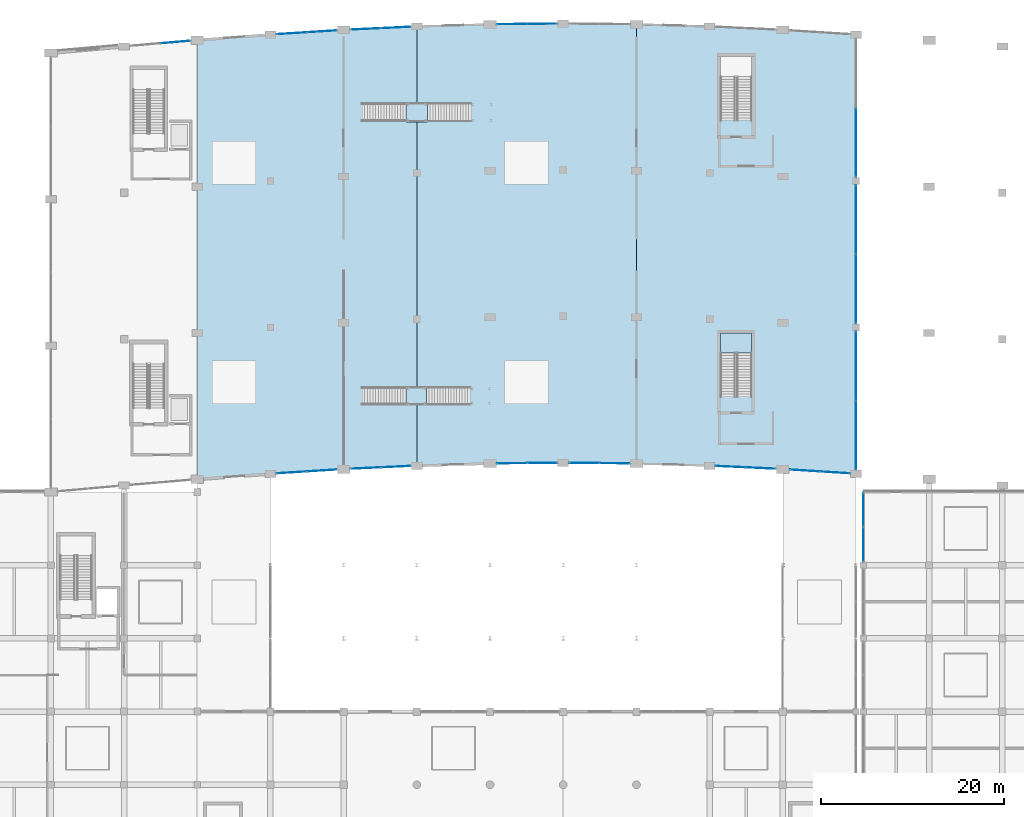
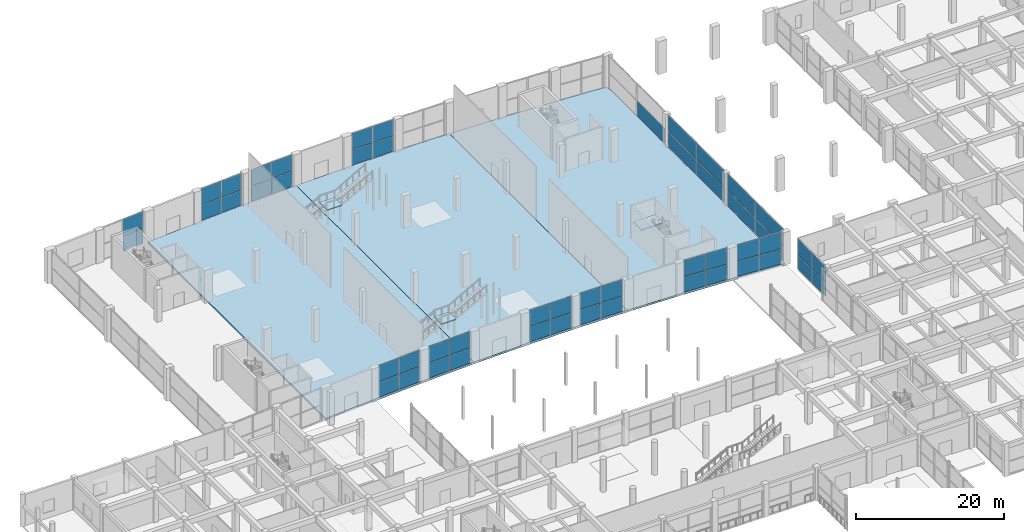
# One storey, part 51 of 86: 51 plates, 6 slabs, 17 elements without a shape of their own.
"""IFC4 building model written with IfcOpenShell, lengths in metres."""

from ifc_helpers import new_model, si_unit, direction, frame, origin, origin_2d, place, context, subcontext, project, spatial, polyline, rectangle, outline, extrude, material, layer, layer_set, type_object, element, aggregate, save


model = new_model("IFC4")

# Units and contexts
model_context = context("Model", 3, precision=1e-05, world=origin(), true_north=direction((0.0, 1.0)))
body_context = subcontext(model_context, "Body", "Model", "MODEL_VIEW")
ifc_project = project(units=[si_unit("LENGTHUNIT", "METRE"), si_unit("AREAUNIT", "SQUARE_METRE"), si_unit("VOLUMEUNIT", "CUBIC_METRE"), si_unit("PLANEANGLEUNIT", "RADIAN"), si_unit("MASSUNIT", "GRAM", prefix="KILO")], contexts=[model_context])

# Site, building, storey
site_placement = place(None, origin())
site = spatial("IfcSite", under=ifc_project, at=site_placement, CompositionType="ELEMENT")
building_placement = place(site_placement, origin())
building = spatial("IfcBuilding", under=site, at=building_placement, Name="Kenh Van Central Station", CompositionType="ELEMENT")
storey_placement = place(building_placement, origin())
storey = spatial("IfcBuildingStorey", under=building, at=storey_placement, Name="L00", CompositionType="ELEMENT", Elevation=0.0)

# Curtain wall, plates
ifc_material_1 = material(Name="Champagne anodised aluminium", Category="aluminium")
curtain_wall_type_1 = type_object("IfcCurtainWallType", Name="CW-OPER-B", PredefinedType="NOTDEFINED", material=ifc_material_1)
curtain_wall_1_placement = place(storey_placement, origin())
curtain_wall_1 = element("IfcCurtainWall", 1, at=curtain_wall_1_placement, inside=storey, type_object=curtain_wall_type_1, Name="L00 curtain wall 069", PredefinedType="NOTDEFINED")
ifc_material_2 = material(Name="Double-glazed low-E laminated solar glass", Category="glass")
ifc_layer_1 = layer(ifc_material_2, 0.030029296875, Name="Double-glazed low-E laminated solar glass")
ifc_layer_set_1 = layer_set([ifc_layer_1], Name="Double-glazed low-E laminated solar glass")
plate_type_1 = type_object("IfcPlateType", Name="CWP-IGU-30", PredefinedType="CURTAIN_PANEL", material=ifc_layer_set_1)
plate_1_placement = place(storey_placement, frame((120.800048828125, 62.0654296875, 0.07177734375), z_axis=(0.0, 0.0, 1.0), x_axis=(0.0, -1.0, 0.0)))
plate_1 = element("IfcPlate", 2, at=plate_1_placement, type_object=plate_type_1, Name="CW-08 panel 1.1", PredefinedType="CURTAIN_PANEL", context=body_context, shape_type="SweptSolid", body=[
    extrude(rectangle(XDim=3.693115234375, YDim=0.030029296875, at=origin_2d()), origin(), (0.0, 0.0, 1.0), 2.340087890625),
])
plate_2_placement = place(storey_placement, frame((120.800048828125, 62.0654296875, 2.484130859375), z_axis=(0.0, 0.0, 1.0), x_axis=(0.0, -1.0, 0.0)))
plate_2 = element("IfcPlate", 3, at=plate_2_placement, type_object=plate_type_1, Name="CW-08 panel 1.2", PredefinedType="CURTAIN_PANEL", context=body_context, shape_type="SweptSolid", body=[
    extrude(rectangle(XDim=3.693115234375, YDim=0.030029296875, at=origin_2d()), origin(), (0.0, 0.0, 1.0), 2.5439453125),
])
plate_3_placement = place(storey_placement, frame((120.800048828125, 58.284423828125, 0.07177734375), z_axis=(0.0, 0.0, 1.0), x_axis=(0.0, -1.0, 0.0)))
plate_3 = element("IfcPlate", 4, at=plate_3_placement, type_object=plate_type_1, Name="CW-08 panel 2.1", PredefinedType="CURTAIN_PANEL", context=body_context, shape_type="SweptSolid", body=[
    extrude(rectangle(XDim=3.693115234375, YDim=0.030029296875, at=origin_2d()), origin(), (0.0, 0.0, 1.0), 2.340087890625),
])
plate_4_placement = place(storey_placement, frame((120.800048828125, 58.284423828125, 2.484130859375), z_axis=(0.0, 0.0, 1.0), x_axis=(0.0, -1.0, 0.0)))
plate_4 = element("IfcPlate", 5, at=plate_4_placement, type_object=plate_type_1, Name="CW-08 panel 2.2", PredefinedType="CURTAIN_PANEL", context=body_context, shape_type="SweptSolid", body=[
    extrude(rectangle(XDim=3.693115234375, YDim=0.030029296875, at=origin_2d()), origin(), (0.0, 0.0, 1.0), 2.5439453125),
])
aggregate(curtain_wall_1, [plate_1, plate_2, plate_3, plate_4])

curtain_wall_type_2 = type_object("IfcCurtainWallType", Name="CW-HALL-B", PredefinedType="NOTDEFINED", material=ifc_material_1)
curtain_wall_2_placement = place(storey_placement, origin())
curtain_wall_2 = element("IfcCurtainWall", 6, at=curtain_wall_2_placement, inside=storey, type_object=curtain_wall_type_2, Name="L00 curtain wall 019", PredefinedType="NOTDEFINED")
ifc_layer_2 = layer(ifc_material_2, 0.031982421875, Name="Double-glazed low-E laminated solar glass")
ifc_layer_set_2 = layer_set([ifc_layer_2], Name="Double-glazed low-E laminated solar glass")
plate_type_2 = type_object("IfcPlateType", Name="CWP-IGU-32", PredefinedType="CURTAIN_PANEL", material=ifc_layer_set_2)
plate_5_placement = place(storey_placement, frame((120.0, 70.2158203125, 0.06982421875), z_axis=(0.0, 0.0, 1.0), x_axis=(0.0, 1.0, 0.0)))
plate_5 = element("IfcPlate", 7, at=plate_5_placement, type_object=plate_type_2, Name="CW-02 panel 1.1", PredefinedType="CURTAIN_PANEL", context=body_context, shape_type="SweptSolid", body=[
    extrude(rectangle(XDim=7.47705078125, YDim=0.031982421875, at=origin_2d()), origin(), (0.0, 0.0, 1.0), 2.487060546875),
])
plate_6_placement = place(storey_placement, frame((120.0, 70.2158203125, 2.626953125), z_axis=(0.0, 0.0, 1.0), x_axis=(0.0, 1.0, 0.0)))
plate_6 = element("IfcPlate", 8, at=plate_6_placement, type_object=plate_type_2, Name="CW-02 panel 1.2", PredefinedType="CURTAIN_PANEL", context=body_context, shape_type="SweptSolid", body=[
    extrude(rectangle(XDim=7.47705078125, YDim=0.031982421875, at=origin_2d()), origin(), (0.0, 0.0, 1.0), 2.702880859375),
])
plate_7_placement = place(storey_placement, frame((120.0, 77.774658203125, 0.06982421875), z_axis=(0.0, 0.0, 1.0), x_axis=(0.0, 1.0, 0.0)))
plate_7 = element("IfcPlate", 9, at=plate_7_placement, type_object=plate_type_2, Name="CW-02 panel 2.1", PredefinedType="CURTAIN_PANEL", context=body_context, shape_type="SweptSolid", body=[
    extrude(rectangle(XDim=7.47705078125, YDim=0.031982421875, at=origin_2d()), origin(), (0.0, 0.0, 1.0), 2.487060546875),
])
plate_8_placement = place(storey_placement, frame((120.0, 77.774658203125, 2.626953125), z_axis=(0.0, 0.0, 1.0), x_axis=(0.0, 1.0, 0.0)))
plate_8 = element("IfcPlate", 10, at=plate_8_placement, type_object=plate_type_2, Name="CW-02 panel 2.2", PredefinedType="CURTAIN_PANEL", context=body_context, shape_type="SweptSolid", body=[
    extrude(rectangle(XDim=7.47705078125, YDim=0.031982421875, at=origin_2d()), origin(), (0.0, 0.0, 1.0), 2.702880859375),
])
aggregate(curtain_wall_2, [plate_5, plate_6, plate_7, plate_8])

curtain_wall_3_placement = place(storey_placement, origin())
curtain_wall_3 = element("IfcCurtainWall", 11, at=curtain_wall_3_placement, inside=storey, type_object=curtain_wall_type_2, Name="L00 curtain wall 020", PredefinedType="NOTDEFINED")
plate_9_placement = place(storey_placement, frame((120.0, 86.2158203125, 0.06982421875), z_axis=(0.0, 0.0, 1.0), x_axis=(0.0, 1.0, 0.0)))
plate_9 = element("IfcPlate", 12, at=plate_9_placement, type_object=plate_type_2, Name="CW-02 panel 1.1", PredefinedType="CURTAIN_PANEL", context=body_context, shape_type="SweptSolid", body=[
    extrude(rectangle(XDim=7.47705078125, YDim=0.031982421875, at=origin_2d()), origin(), (0.0, 0.0, 1.0), 2.487060546875),
])
plate_10_placement = place(storey_placement, frame((120.0, 86.2158203125, 2.626953125), z_axis=(0.0, 0.0, 1.0), x_axis=(0.0, 1.0, 0.0)))
plate_10 = element("IfcPlate", 13, at=plate_10_placement, type_object=plate_type_2, Name="CW-02 panel 1.2", PredefinedType="CURTAIN_PANEL", context=body_context, shape_type="SweptSolid", body=[
    extrude(rectangle(XDim=7.47705078125, YDim=0.031982421875, at=origin_2d()), origin(), (0.0, 0.0, 1.0), 2.702880859375),
])
plate_11_placement = place(storey_placement, frame((120.0, 93.774658203125, 0.06982421875), z_axis=(0.0, 0.0, 1.0), x_axis=(0.0, 1.0, 0.0)))
plate_11 = element("IfcPlate", 14, at=plate_11_placement, type_object=plate_type_2, Name="CW-02 panel 2.1", PredefinedType="CURTAIN_PANEL", context=body_context, shape_type="SweptSolid", body=[
    extrude(rectangle(XDim=7.47705078125, YDim=0.031982421875, at=origin_2d()), origin(), (0.0, 0.0, 1.0), 2.487060546875),
])
plate_12_placement = place(storey_placement, frame((120.0, 93.774658203125, 2.626953125), z_axis=(0.0, 0.0, 1.0), x_axis=(0.0, 1.0, 0.0)))
plate_12 = element("IfcPlate", 15, at=plate_12_placement, type_object=plate_type_2, Name="CW-02 panel 2.2", PredefinedType="CURTAIN_PANEL", context=body_context, shape_type="SweptSolid", body=[
    extrude(rectangle(XDim=7.47705078125, YDim=0.031982421875, at=origin_2d()), origin(), (0.0, 0.0, 1.0), 2.702880859375),
])
aggregate(curtain_wall_3, [plate_9, plate_10, plate_11, plate_12])

# Curtain wall, plate
curtain_wall_4_placement = place(storey_placement, origin())
curtain_wall_4 = element("IfcCurtainWall", 16, at=curtain_wall_4_placement, inside=storey, type_object=curtain_wall_type_2, Name="L00 curtain wall 021", PredefinedType="NOTDEFINED")
plate_13_placement = place(storey_placement, frame((120.0, 102.2158203125, 0.06982421875), z_axis=(0.0, 0.0, 1.0), x_axis=(0.0, 1.0, 0.0)))
plate_13 = element("IfcPlate", 17, at=plate_13_placement, type_object=plate_type_2, Name="CW-02 panel 1.1", PredefinedType="CURTAIN_PANEL", context=body_context, shape_type="SweptSolid", body=[
    extrude(rectangle(XDim=7.47705078125, YDim=0.031982421875, at=origin_2d()), origin(), (0.0, 0.0, 1.0), 2.487060546875),
])
aggregate(curtain_wall_4, [plate_13])

# Curtain wall, plates
curtain_wall_5_placement = place(storey_placement, origin())
curtain_wall_5 = element("IfcCurtainWall", 18, at=curtain_wall_5_placement, inside=storey, type_object=curtain_wall_type_2, Name="L00 curtain wall 003", PredefinedType="NOTDEFINED")
ifc_layer_3 = layer(ifc_material_2, 0.033935546875, Name="Double-glazed low-E laminated solar glass")
ifc_layer_set_3 = layer_set([ifc_layer_3], Name="Double-glazed low-E laminated solar glass")
plate_type_3 = type_object("IfcPlateType", Name="CWP-IGU-34", PredefinedType="CURTAIN_PANEL", material=ifc_layer_set_3)
plate_14_placement = place(storey_placement, frame((45.587890625, 113.1845703125, 0.06982421875), z_axis=(0.0, 0.0, 1.0), x_axis=(-0.996445133341, -0.084244265333, 0.0)))
plate_14 = element("IfcPlate", 19, at=plate_14_placement, type_object=plate_type_3, Name="CW-02 panel 1.1", PredefinedType="CURTAIN_PANEL", context=body_context, shape_type="SweptSolid", body=[
    extrude(rectangle(XDim=3.210693359375, YDim=0.033935546875, at=origin_2d()), origin(), (0.0, 0.0, 1.0), 2.487060546875),
])
plate_15_placement = place(storey_placement, frame((45.587890625, 113.1845703125, 2.626953125), z_axis=(0.0, 0.0, 1.0), x_axis=(-0.996445133341, -0.084244265333, 0.0)))
plate_15 = element("IfcPlate", 20, at=plate_15_placement, type_object=plate_type_3, Name="CW-02 panel 1.2", PredefinedType="CURTAIN_PANEL", context=body_context, shape_type="SweptSolid", body=[
    extrude(rectangle(XDim=3.210693359375, YDim=0.033935546875, at=origin_2d()), origin(), (0.0, 0.0, 1.0), 2.702880859375),
])
aggregate(curtain_wall_5, [plate_14, plate_15])

curtain_wall_6_placement = place(storey_placement, origin())
curtain_wall_6 = element("IfcCurtainWall", 21, at=curtain_wall_6_placement, inside=storey, type_object=curtain_wall_type_2, Name="L00 curtain wall 005", PredefinedType="NOTDEFINED")
plate_16_placement = place(storey_placement, frame((61.591552734375, 114.349365234375, 0.06982421875), z_axis=(0.0, 0.0, 1.0), x_axis=(-0.998000154852, -0.063211477724, 0.0)))
plate_16 = element("IfcPlate", 22, at=plate_16_placement, type_object=plate_type_3, Name="CW-02 panel 1.1", PredefinedType="CURTAIN_PANEL", context=body_context, shape_type="SweptSolid", body=[
    extrude(rectangle(XDim=3.21240234375, YDim=0.033935546875, at=origin_2d()), origin(), (0.0, 0.0, 1.0), 2.487060546875),
])
plate_17_placement = place(storey_placement, frame((61.591552734375, 114.349365234375, 2.626953125), z_axis=(0.0, 0.0, 1.0), x_axis=(-0.998000154852, -0.063211477724, 0.0)))
plate_17 = element("IfcPlate", 23, at=plate_17_placement, type_object=plate_type_3, Name="CW-02 panel 1.2", PredefinedType="CURTAIN_PANEL", context=body_context, shape_type="SweptSolid", body=[
    extrude(rectangle(XDim=3.21240234375, YDim=0.033935546875, at=origin_2d()), origin(), (0.0, 0.0, 1.0), 2.702880859375),
])
plate_18_placement = place(storey_placement, frame((58.3056640625, 114.14111328125, 0.06982421875), z_axis=(0.0, 0.0, 1.0), x_axis=(-0.998000154852, -0.063211477724, 0.0)))
plate_18 = element("IfcPlate", 24, at=plate_18_placement, type_object=plate_type_3, Name="CW-02 panel 2.1", PredefinedType="CURTAIN_PANEL", context=body_context, shape_type="SweptSolid", body=[
    extrude(rectangle(XDim=3.21240234375, YDim=0.033935546875, at=origin_2d()), origin(), (0.0, 0.0, 1.0), 2.487060546875),
])
plate_19_placement = place(storey_placement, frame((58.3056640625, 114.14111328125, 2.626953125), z_axis=(0.0, 0.0, 1.0), x_axis=(-0.998000154852, -0.063211477724, 0.0)))
plate_19 = element("IfcPlate", 25, at=plate_19_placement, type_object=plate_type_3, Name="CW-02 panel 2.2", PredefinedType="CURTAIN_PANEL", context=body_context, shape_type="SweptSolid", body=[
    extrude(rectangle(XDim=3.21240234375, YDim=0.033935546875, at=origin_2d()), origin(), (0.0, 0.0, 1.0), 2.702880859375),
])
aggregate(curtain_wall_6, [plate_16, plate_17, plate_18, plate_19])

curtain_wall_7_placement = place(storey_placement, origin())
curtain_wall_7 = element("IfcCurtainWall", 26, at=curtain_wall_7_placement, inside=storey, type_object=curtain_wall_type_2, Name="L00 curtain wall 007", PredefinedType="NOTDEFINED")
plate_20_placement = place(storey_placement, frame((69.69677734375, 114.7734375, 0.06982421875), z_axis=(0.0, 0.0, 1.0), x_axis=(-0.99886644112, -0.047600764745, 0.0)))
plate_20 = element("IfcPlate", 27, at=plate_20_placement, type_object=plate_type_3, Name="CW-02 panel 1.1", PredefinedType="CURTAIN_PANEL", context=body_context, shape_type="SweptSolid", body=[
    extrude(rectangle(XDim=3.215087890625, YDim=0.033935546875, at=origin_2d()), origin(), (0.0, 0.0, 1.0), 2.487060546875),
])
plate_21_placement = place(storey_placement, frame((69.69677734375, 114.7734375, 2.626953125), z_axis=(0.0, 0.0, 1.0), x_axis=(-0.99886644112, -0.047600764745, 0.0)))
plate_21 = element("IfcPlate", 28, at=plate_21_placement, type_object=plate_type_3, Name="CW-02 panel 1.2", PredefinedType="CURTAIN_PANEL", context=body_context, shape_type="SweptSolid", body=[
    extrude(rectangle(XDim=3.215087890625, YDim=0.033935546875, at=origin_2d()), origin(), (0.0, 0.0, 1.0), 2.702880859375),
])
plate_22_placement = place(storey_placement, frame((66.405517578125, 114.616455078125, 0.06982421875), z_axis=(0.0, 0.0, 1.0), x_axis=(-0.99886644112, -0.047600764745, 0.0)))
plate_22 = element("IfcPlate", 29, at=plate_22_placement, type_object=plate_type_3, Name="CW-02 panel 2.1", PredefinedType="CURTAIN_PANEL", context=body_context, shape_type="SweptSolid", body=[
    extrude(rectangle(XDim=3.215087890625, YDim=0.033935546875, at=origin_2d()), origin(), (0.0, 0.0, 1.0), 2.487060546875),
])
plate_23_placement = place(storey_placement, frame((66.405517578125, 114.616455078125, 2.626953125), z_axis=(0.0, 0.0, 1.0), x_axis=(-0.99886644112, -0.047600764745, 0.0)))
plate_23 = element("IfcPlate", 30, at=plate_23_placement, type_object=plate_type_3, Name="CW-02 panel 2.2", PredefinedType="CURTAIN_PANEL", context=body_context, shape_type="SweptSolid", body=[
    extrude(rectangle(XDim=3.215087890625, YDim=0.033935546875, at=origin_2d()), origin(), (0.0, 0.0, 1.0), 2.702880859375),
])
aggregate(curtain_wall_7, [plate_20, plate_21, plate_22, plate_23])

curtain_wall_8_placement = place(storey_placement, origin())
curtain_wall_8 = element("IfcCurtainWall", 31, at=curtain_wall_8_placement, inside=storey, type_object=curtain_wall_type_2, Name="L00 curtain wall 009", PredefinedType="NOTDEFINED")
plate_24_placement = place(storey_placement, frame((85.703125, 115.177001953125, 0.06982421875), z_axis=(0.0, 0.0, 1.0), x_axis=(-0.999949879657, -0.010011901592, 0.0)))
plate_24 = element("IfcPlate", 32, at=plate_24_placement, type_object=plate_type_3, Name="CW-02 panel 1.1", PredefinedType="CURTAIN_PANEL", context=body_context, shape_type="SweptSolid", body=[
    extrude(rectangle(XDim=3.22607421875, YDim=0.033935546875, at=origin_2d()), origin(), (0.0, 0.0, 1.0), 2.487060546875),
])
plate_25_placement = place(storey_placement, frame((85.703125, 115.177001953125, 2.626953125), z_axis=(0.0, 0.0, 1.0), x_axis=(-0.999949879657, -0.010011901592, 0.0)))
plate_25 = element("IfcPlate", 33, at=plate_25_placement, type_object=plate_type_3, Name="CW-02 panel 1.2", PredefinedType="CURTAIN_PANEL", context=body_context, shape_type="SweptSolid", body=[
    extrude(rectangle(XDim=3.22607421875, YDim=0.033935546875, at=origin_2d()), origin(), (0.0, 0.0, 1.0), 2.702880859375),
])
plate_26_placement = place(storey_placement, frame((82.397216796875, 115.143798828125, 0.06982421875), z_axis=(0.0, 0.0, 1.0), x_axis=(-0.999949879657, -0.010011901592, 0.0)))
plate_26 = element("IfcPlate", 34, at=plate_26_placement, type_object=plate_type_3, Name="CW-02 panel 2.1", PredefinedType="CURTAIN_PANEL", context=body_context, shape_type="SweptSolid", body=[
    extrude(rectangle(XDim=3.22607421875, YDim=0.033935546875, at=origin_2d()), origin(), (0.0, 0.0, 1.0), 2.487060546875),
])
plate_27_placement = place(storey_placement, frame((82.397216796875, 115.143798828125, 2.626953125), z_axis=(0.0, 0.0, 1.0), x_axis=(-0.999949879657, -0.010011901592, 0.0)))
plate_27 = element("IfcPlate", 35, at=plate_27_placement, type_object=plate_type_3, Name="CW-02 panel 2.2", PredefinedType="CURTAIN_PANEL", context=body_context, shape_type="SweptSolid", body=[
    extrude(rectangle(XDim=3.22607421875, YDim=0.033935546875, at=origin_2d()), origin(), (0.0, 0.0, 1.0), 2.702880859375),
])
aggregate(curtain_wall_8, [plate_24, plate_25, plate_26, plate_27])

curtain_wall_type_3 = type_object("IfcCurtainWallType", Name="CW-HALL-A", PredefinedType="NOTDEFINED", material=ifc_material_1)
curtain_wall_9_placement = place(storey_placement, origin())
curtain_wall_9 = element("IfcCurtainWall", 36, at=curtain_wall_9_placement, inside=storey, type_object=curtain_wall_type_3, Name="L00 curtain wall 004", PredefinedType="NOTDEFINED")
ifc_layer_4 = layer(ifc_material_2, 0.035888671875, Name="Double-glazed low-E laminated solar glass")
ifc_layer_set_4 = layer_set([ifc_layer_4], Name="Double-glazed low-E laminated solar glass")
plate_type_4 = type_object("IfcPlateType", Name="CWP-IGU-36", PredefinedType="CURTAIN_PANEL", material=ifc_layer_set_4)
plate_28_placement = place(storey_placement, frame((58.3056640625, 66.14111328125, 0.06982421875), z_axis=(0.0, 0.0, 1.0), x_axis=(0.998000154852, 0.063211477724, 0.0)))
plate_28 = element("IfcPlate", 37, at=plate_28_placement, type_object=plate_type_4, Name="CW-01 panel 1.1", PredefinedType="CURTAIN_PANEL", context=body_context, shape_type="SweptSolid", body=[
    extrude(rectangle(XDim=3.21240234375, YDim=0.035888671875, at=origin_2d()), origin(), (0.0, 0.0, 1.0), 2.487060546875),
])
plate_29_placement = place(storey_placement, frame((58.3056640625, 66.14111328125, 2.626953125), z_axis=(0.0, 0.0, 1.0), x_axis=(0.998000154852, 0.063211477724, 0.0)))
plate_29 = element("IfcPlate", 38, at=plate_29_placement, type_object=plate_type_4, Name="CW-01 panel 1.2", PredefinedType="CURTAIN_PANEL", context=body_context, shape_type="SweptSolid", body=[
    extrude(rectangle(XDim=3.21240234375, YDim=0.035888671875, at=origin_2d()), origin(), (0.0, 0.0, 1.0), 2.702880859375),
])
plate_30_placement = place(storey_placement, frame((61.591552734375, 66.349365234375, 0.06982421875), z_axis=(0.0, 0.0, 1.0), x_axis=(0.998000154852, 0.063211477724, 0.0)))
plate_30 = element("IfcPlate", 39, at=plate_30_placement, type_object=plate_type_4, Name="CW-01 panel 2.1", PredefinedType="CURTAIN_PANEL", context=body_context, shape_type="SweptSolid", body=[
    extrude(rectangle(XDim=3.21240234375, YDim=0.035888671875, at=origin_2d()), origin(), (0.0, 0.0, 1.0), 2.487060546875),
])
plate_31_placement = place(storey_placement, frame((61.591552734375, 66.349365234375, 2.626953125), z_axis=(0.0, 0.0, 1.0), x_axis=(0.998000154852, 0.063211477724, 0.0)))
plate_31 = element("IfcPlate", 40, at=plate_31_placement, type_object=plate_type_4, Name="CW-01 panel 2.2", PredefinedType="CURTAIN_PANEL", context=body_context, shape_type="SweptSolid", body=[
    extrude(rectangle(XDim=3.21240234375, YDim=0.035888671875, at=origin_2d()), origin(), (0.0, 0.0, 1.0), 2.702880859375),
])
aggregate(curtain_wall_9, [plate_28, plate_29, plate_30, plate_31])

curtain_wall_10_placement = place(storey_placement, origin())
curtain_wall_10 = element("IfcCurtainWall", 41, at=curtain_wall_10_placement, inside=storey, type_object=curtain_wall_type_3, Name="L00 curtain wall 006", PredefinedType="NOTDEFINED")
plate_32_placement = place(storey_placement, frame((66.405517578125, 66.616455078125, 0.06982421875), z_axis=(0.0, 0.0, 1.0), x_axis=(0.99886644112, 0.047600764745, 0.0)))
plate_32 = element("IfcPlate", 42, at=plate_32_placement, type_object=plate_type_4, Name="CW-01 panel 1.1", PredefinedType="CURTAIN_PANEL", context=body_context, shape_type="SweptSolid", body=[
    extrude(rectangle(XDim=3.215087890625, YDim=0.035888671875, at=origin_2d()), origin(), (0.0, 0.0, 1.0), 2.487060546875),
])
plate_33_placement = place(storey_placement, frame((66.405517578125, 66.616455078125, 2.626953125), z_axis=(0.0, 0.0, 1.0), x_axis=(0.99886644112, 0.047600764745, 0.0)))
plate_33 = element("IfcPlate", 43, at=plate_33_placement, type_object=plate_type_4, Name="CW-01 panel 1.2", PredefinedType="CURTAIN_PANEL", context=body_context, shape_type="SweptSolid", body=[
    extrude(rectangle(XDim=3.215087890625, YDim=0.035888671875, at=origin_2d()), origin(), (0.0, 0.0, 1.0), 2.702880859375),
])
plate_34_placement = place(storey_placement, frame((69.69677734375, 66.7734375, 0.06982421875), z_axis=(0.0, 0.0, 1.0), x_axis=(0.99886644112, 0.047600764745, 0.0)))
plate_34 = element("IfcPlate", 44, at=plate_34_placement, type_object=plate_type_4, Name="CW-01 panel 2.1", PredefinedType="CURTAIN_PANEL", context=body_context, shape_type="SweptSolid", body=[
    extrude(rectangle(XDim=3.215087890625, YDim=0.035888671875, at=origin_2d()), origin(), (0.0, 0.0, 1.0), 2.487060546875),
])
plate_35_placement = place(storey_placement, frame((69.69677734375, 66.7734375, 2.626953125), z_axis=(0.0, 0.0, 1.0), x_axis=(0.99886644112, 0.047600764745, 0.0)))
plate_35 = element("IfcPlate", 45, at=plate_35_placement, type_object=plate_type_4, Name="CW-01 panel 2.2", PredefinedType="CURTAIN_PANEL", context=body_context, shape_type="SweptSolid", body=[
    extrude(rectangle(XDim=3.215087890625, YDim=0.035888671875, at=origin_2d()), origin(), (0.0, 0.0, 1.0), 2.702880859375),
])
aggregate(curtain_wall_10, [plate_32, plate_33, plate_34, plate_35])

curtain_wall_11_placement = place(storey_placement, origin())
curtain_wall_11 = element("IfcCurtainWall", 46, at=curtain_wall_11_placement, inside=storey, type_object=curtain_wall_type_3, Name="L00 curtain wall 008", PredefinedType="NOTDEFINED")
plate_36_placement = place(storey_placement, frame((82.397216796875, 67.143798828125, 0.06982421875), z_axis=(0.0, 0.0, 1.0), x_axis=(0.999949879657, 0.010011901592, 0.0)))
plate_36 = element("IfcPlate", 47, at=plate_36_placement, type_object=plate_type_4, Name="CW-01 panel 1.1", PredefinedType="CURTAIN_PANEL", context=body_context, shape_type="SweptSolid", body=[
    extrude(rectangle(XDim=3.22607421875, YDim=0.035888671875, at=origin_2d()), origin(), (0.0, 0.0, 1.0), 2.487060546875),
])
plate_37_placement = place(storey_placement, frame((82.397216796875, 67.143798828125, 2.626953125), z_axis=(0.0, 0.0, 1.0), x_axis=(0.999949879657, 0.010011901592, 0.0)))
plate_37 = element("IfcPlate", 48, at=plate_37_placement, type_object=plate_type_4, Name="CW-01 panel 1.2", PredefinedType="CURTAIN_PANEL", context=body_context, shape_type="SweptSolid", body=[
    extrude(rectangle(XDim=3.22607421875, YDim=0.035888671875, at=origin_2d()), origin(), (0.0, 0.0, 1.0), 2.702880859375),
])
plate_38_placement = place(storey_placement, frame((85.703125, 67.177001953125, 0.06982421875), z_axis=(0.0, 0.0, 1.0), x_axis=(0.999949879657, 0.010011901592, 0.0)))
plate_38 = element("IfcPlate", 49, at=plate_38_placement, type_object=plate_type_4, Name="CW-01 panel 2.1", PredefinedType="CURTAIN_PANEL", context=body_context, shape_type="SweptSolid", body=[
    extrude(rectangle(XDim=3.22607421875, YDim=0.035888671875, at=origin_2d()), origin(), (0.0, 0.0, 1.0), 2.487060546875),
])
plate_39_placement = place(storey_placement, frame((85.703125, 67.177001953125, 2.626953125), z_axis=(0.0, 0.0, 1.0), x_axis=(0.999949879657, 0.010011901592, 0.0)))
plate_39 = element("IfcPlate", 50, at=plate_39_placement, type_object=plate_type_4, Name="CW-01 panel 2.2", PredefinedType="CURTAIN_PANEL", context=body_context, shape_type="SweptSolid", body=[
    extrude(rectangle(XDim=3.22607421875, YDim=0.035888671875, at=origin_2d()), origin(), (0.0, 0.0, 1.0), 2.702880859375),
])
aggregate(curtain_wall_11, [plate_36, plate_37, plate_38, plate_39])

curtain_wall_12_placement = place(storey_placement, origin())
curtain_wall_12 = element("IfcCurtainWall", 51, at=curtain_wall_12_placement, inside=storey, type_object=curtain_wall_type_3, Name="L00 curtain wall 010", PredefinedType="NOTDEFINED")
plate_40_placement = place(storey_placement, frame((90.296875, 67.177001953125, 0.06982421875), z_axis=(0.0, 0.0, 1.0), x_axis=(0.999949879657, -0.010011901592, 0.0)))
plate_40 = element("IfcPlate", 52, at=plate_40_placement, type_object=plate_type_4, Name="CW-01 panel 1.1", PredefinedType="CURTAIN_PANEL", context=body_context, shape_type="SweptSolid", body=[
    extrude(rectangle(XDim=3.22607421875, YDim=0.035888671875, at=origin_2d()), origin(), (0.0, 0.0, 1.0), 2.487060546875),
])
plate_41_placement = place(storey_placement, frame((90.296875, 67.177001953125, 2.626953125), z_axis=(0.0, 0.0, 1.0), x_axis=(0.999949879657, -0.010011901592, 0.0)))
plate_41 = element("IfcPlate", 53, at=plate_41_placement, type_object=plate_type_4, Name="CW-01 panel 1.2", PredefinedType="CURTAIN_PANEL", context=body_context, shape_type="SweptSolid", body=[
    extrude(rectangle(XDim=3.22607421875, YDim=0.035888671875, at=origin_2d()), origin(), (0.0, 0.0, 1.0), 2.702880859375),
])
plate_42_placement = place(storey_placement, frame((93.602783203125, 67.143798828125, 0.06982421875), z_axis=(0.0, 0.0, 1.0), x_axis=(0.999949879657, -0.010011901592, 0.0)))
plate_42 = element("IfcPlate", 54, at=plate_42_placement, type_object=plate_type_4, Name="CW-01 panel 2.1", PredefinedType="CURTAIN_PANEL", context=body_context, shape_type="SweptSolid", body=[
    extrude(rectangle(XDim=3.22607421875, YDim=0.035888671875, at=origin_2d()), origin(), (0.0, 0.0, 1.0), 2.487060546875),
])
plate_43_placement = place(storey_placement, frame((93.602783203125, 67.143798828125, 2.626953125), z_axis=(0.0, 0.0, 1.0), x_axis=(0.999949879657, -0.010011901592, 0.0)))
plate_43 = element("IfcPlate", 55, at=plate_43_placement, type_object=plate_type_4, Name="CW-01 panel 2.2", PredefinedType="CURTAIN_PANEL", context=body_context, shape_type="SweptSolid", body=[
    extrude(rectangle(XDim=3.22607421875, YDim=0.035888671875, at=origin_2d()), origin(), (0.0, 0.0, 1.0), 2.702880859375),
])
aggregate(curtain_wall_12, [plate_40, plate_41, plate_42, plate_43])

curtain_wall_13_placement = place(storey_placement, origin())
curtain_wall_13 = element("IfcCurtainWall", 56, at=curtain_wall_13_placement, inside=storey, type_object=curtain_wall_type_3, Name="L00 curtain wall 012", PredefinedType="NOTDEFINED")
plate_44_placement = place(storey_placement, frame((106.30322265625, 66.7734375, 0.06982421875), z_axis=(0.0, 0.0, 1.0), x_axis=(0.99886644112, -0.047600764745, 0.0)))
plate_44 = element("IfcPlate", 57, at=plate_44_placement, type_object=plate_type_4, Name="CW-01 panel 1.1", PredefinedType="CURTAIN_PANEL", context=body_context, shape_type="SweptSolid", body=[
    extrude(rectangle(XDim=3.215087890625, YDim=0.035888671875, at=origin_2d()), origin(), (0.0, 0.0, 1.0), 2.487060546875),
])
plate_45_placement = place(storey_placement, frame((106.30322265625, 66.7734375, 2.626953125), z_axis=(0.0, 0.0, 1.0), x_axis=(0.99886644112, -0.047600764745, 0.0)))
plate_45 = element("IfcPlate", 58, at=plate_45_placement, type_object=plate_type_4, Name="CW-01 panel 1.2", PredefinedType="CURTAIN_PANEL", context=body_context, shape_type="SweptSolid", body=[
    extrude(rectangle(XDim=3.215087890625, YDim=0.035888671875, at=origin_2d()), origin(), (0.0, 0.0, 1.0), 2.702880859375),
])
plate_46_placement = place(storey_placement, frame((109.594482421875, 66.616455078125, 0.06982421875), z_axis=(0.0, 0.0, 1.0), x_axis=(0.99886644112, -0.047600764745, 0.0)))
plate_46 = element("IfcPlate", 59, at=plate_46_placement, type_object=plate_type_4, Name="CW-01 panel 2.1", PredefinedType="CURTAIN_PANEL", context=body_context, shape_type="SweptSolid", body=[
    extrude(rectangle(XDim=3.215087890625, YDim=0.035888671875, at=origin_2d()), origin(), (0.0, 0.0, 1.0), 2.487060546875),
])
plate_47_placement = place(storey_placement, frame((109.594482421875, 66.616455078125, 2.626953125), z_axis=(0.0, 0.0, 1.0), x_axis=(0.99886644112, -0.047600764745, 0.0)))
plate_47 = element("IfcPlate", 60, at=plate_47_placement, type_object=plate_type_4, Name="CW-01 panel 2.2", PredefinedType="CURTAIN_PANEL", context=body_context, shape_type="SweptSolid", body=[
    extrude(rectangle(XDim=3.215087890625, YDim=0.035888671875, at=origin_2d()), origin(), (0.0, 0.0, 1.0), 2.702880859375),
])
aggregate(curtain_wall_13, [plate_44, plate_45, plate_46, plate_47])

curtain_wall_14_placement = place(storey_placement, origin())
curtain_wall_14 = element("IfcCurtainWall", 61, at=curtain_wall_14_placement, inside=storey, type_object=curtain_wall_type_3, Name="L00 curtain wall 014", PredefinedType="NOTDEFINED")
plate_48_placement = place(storey_placement, frame((114.408447265625, 66.349365234375, 0.06982421875), z_axis=(0.0, 0.0, 1.0), x_axis=(0.998000154852, -0.063211477724, 0.0)))
plate_48 = element("IfcPlate", 62, at=plate_48_placement, type_object=plate_type_4, Name="CW-01 panel 1.1", PredefinedType="CURTAIN_PANEL", context=body_context, shape_type="SweptSolid", body=[
    extrude(rectangle(XDim=3.21240234375, YDim=0.035888671875, at=origin_2d()), origin(), (0.0, 0.0, 1.0), 2.487060546875),
])
plate_49_placement = place(storey_placement, frame((114.408447265625, 66.349365234375, 2.626953125), z_axis=(0.0, 0.0, 1.0), x_axis=(0.998000154852, -0.063211477724, 0.0)))
plate_49 = element("IfcPlate", 63, at=plate_49_placement, type_object=plate_type_4, Name="CW-01 panel 1.2", PredefinedType="CURTAIN_PANEL", context=body_context, shape_type="SweptSolid", body=[
    extrude(rectangle(XDim=3.21240234375, YDim=0.035888671875, at=origin_2d()), origin(), (0.0, 0.0, 1.0), 2.702880859375),
])
plate_50_placement = place(storey_placement, frame((117.6943359375, 66.14111328125, 0.06982421875), z_axis=(0.0, 0.0, 1.0), x_axis=(0.998000154852, -0.063211477724, 0.0)))
plate_50 = element("IfcPlate", 64, at=plate_50_placement, type_object=plate_type_4, Name="CW-01 panel 2.1", PredefinedType="CURTAIN_PANEL", context=body_context, shape_type="SweptSolid", body=[
    extrude(rectangle(XDim=3.21240234375, YDim=0.035888671875, at=origin_2d()), origin(), (0.0, 0.0, 1.0), 2.487060546875),
])
plate_51_placement = place(storey_placement, frame((117.6943359375, 66.14111328125, 2.626953125), z_axis=(0.0, 0.0, 1.0), x_axis=(0.998000154852, -0.063211477724, 0.0)))
plate_51 = element("IfcPlate", 65, at=plate_51_placement, type_object=plate_type_4, Name="CW-01 panel 2.2", PredefinedType="CURTAIN_PANEL", context=body_context, shape_type="SweptSolid", body=[
    extrude(rectangle(XDim=3.21240234375, YDim=0.035888671875, at=origin_2d()), origin(), (0.0, 0.0, 1.0), 2.702880859375),
])
aggregate(curtain_wall_14, [plate_48, plate_49, plate_50, plate_51])

# Slabs
ifc_material_3 = material(Name="Concrete C35/45", Category="concrete")
ifc_layer_5 = layer(ifc_material_3, 0.300048828125, Name="Concrete C35/45")
ifc_layer_set_5 = layer_set([ifc_layer_5], Name="Concrete C35/45")
slab_type_1 = type_object("IfcSlabType", Name="SLB-FLR-300", PredefinedType="FLOOR", material=ifc_layer_set_5)
slab_1_placement = place(storey_placement, frame((0.0, 0.0, -0.300048828125)))
element("IfcSlab", 66, at=slab_1_placement, inside=storey, type_object=slab_type_1, Name="L00 slab SLB-L00-VD2", PredefinedType="FLOOR", context=body_context, shape_type="SweptSolid", body=[
    extrude(outline(polyline([(48.03759765625, 65.3916015625), (56.02490234375, 65.996826171875), (64.012451171875, 66.502685546875), (72.0, 66.883056640625), (72.0, 114.883056640625), (64.012451171875, 114.502685546875), (56.02490234375, 113.996826171875), (48.03759765625, 113.3916015625), (48.03759765625, 65.3916015625)])), origin(), (0.0, 0.0, 1.0), 0.300048828125),
])
slab_2_placement = place(storey_placement, frame((0.0, 0.0, -0.300048828125)))
element("IfcSlab", 67, at=slab_2_placement, inside=storey, type_object=slab_type_1, Name="L00 slab SLB-L00-VD3", PredefinedType="FLOOR", context=body_context, shape_type="SweptSolid", body=[
    extrude(outline(polyline([(72.0, 66.883056640625), (80.0, 67.119873046875), (88.0, 67.199951171875), (96.0, 67.119873046875), (96.0, 115.119873046875), (88.0, 115.199951171875), (80.0, 115.119873046875), (72.0, 114.883056640625), (72.0, 66.883056640625)])), origin(), (0.0, 0.0, 1.0), 0.300048828125),
])
slab_3_placement = place(storey_placement, frame((0.0, 0.0, -0.300048828125)))
element("IfcSlab", 68, at=slab_3_placement, inside=storey, type_object=slab_type_1, Name="L00 slab SLB-L00-VD4", PredefinedType="FLOOR", context=body_context, shape_type="SweptSolid", body=[
    extrude(outline(polyline([(96.0, 67.119873046875), (103.987548828125, 66.883544921875), (111.97509765625, 66.50341796875), (119.96240234375, 65.997802734375), (119.96240234375, 113.997802734375), (111.97509765625, 114.50341796875), (103.987548828125, 114.883544921875), (96.0, 115.119873046875), (96.0, 67.119873046875)])), origin(), (0.0, 0.0, 1.0), 0.300048828125),
])

# Stair, slab
ifc_material_4 = material(Name="Concrete C40/50", Category="concrete")
stair_type_1 = type_object("IfcStairType", Name="STR-PUB-1950", PredefinedType="STRAIGHT_RUN_STAIR", material=ifc_material_4)
stair_1_placement = place(storey_placement, origin())
stair_1 = element("IfcStair", 69, at=stair_1_placement, inside=storey, type_object=stair_type_1, Name="Island Platform 1 Central Transfer Stair", PredefinedType="STRAIGHT_RUN_STAIR")
ifc_layer_6 = layer(ifc_material_4, 0.179931640625, Name="Concrete C40/50")
ifc_layer_set_6 = layer_set([ifc_layer_6], Name="Concrete C40/50")
slab_type_2 = type_object("IfcSlabType", Name="SLB-LAND-180", PredefinedType="LANDING", material=ifc_layer_set_6)
slab_4_placement = place(storey_placement, frame((0.0, 0.0, 2.52001953125)))
slab_4 = element("IfcSlab", 70, at=slab_4_placement, type_object=slab_type_2, Name="ST-P5A landing 1", PredefinedType="LANDING", context=body_context, shape_type="SweptSolid", body=[
    extrude(outline(polyline([(70.800048828125, 73.52490234375), (73.050048828125, 73.52490234375), (73.050048828125, 75.47509765625), (70.800048828125, 75.47509765625), (70.800048828125, 73.52490234375)])), origin(), (0.0, 0.0, 1.0), 0.179931640625),
])
aggregate(stair_1, [slab_4])

stair_type_2 = type_object("IfcStairType", Name="STR-PUB-2050", PredefinedType="STRAIGHT_RUN_STAIR", material=ifc_material_4)
stair_2_placement = place(storey_placement, origin())
stair_2 = element("IfcStair", 71, at=stair_2_placement, inside=storey, type_object=stair_type_2, Name="Island Platform 2 Central Transfer Stair", PredefinedType="STRAIGHT_RUN_STAIR")
slab_5_placement = place(storey_placement, frame((0.0, 0.0, 2.52001953125)))
slab_5 = element("IfcSlab", 72, at=slab_5_placement, type_object=slab_type_2, Name="ST-P6A landing 1", PredefinedType="LANDING", context=body_context, shape_type="SweptSolid", body=[
    extrude(outline(polyline([(70.800048828125, 104.47509765625), (73.14990234375, 104.47509765625), (73.14990234375, 106.52490234375), (70.800048828125, 106.52490234375), (70.800048828125, 104.47509765625)])), origin(), (0.0, 0.0, 1.0), 0.179931640625),
])
aggregate(stair_2, [slab_5])

stair_type_3 = type_object("IfcStairType", Name="STR-DLG-1600", PredefinedType="HALF_TURN_STAIR", material=ifc_material_3)
stair_3_placement = place(storey_placement, origin())
stair_3 = element("IfcStair", 73, at=stair_3_placement, inside=storey, type_object=stair_type_3, Name="L00 Island Platform 1 East Evacuation Core", PredefinedType="HALF_TURN_STAIR")
ifc_layer_7 = layer(ifc_material_3, 0.199951171875, Name="Concrete C35/45")
ifc_layer_set_7 = layer_set([ifc_layer_7], Name="Concrete C35/45")
slab_type_3 = type_object("IfcSlabType", Name="SLB-LAND-200", PredefinedType="LANDING", material=ifc_layer_set_7)
slab_6_placement = place(storey_placement, frame((0.0, 0.0, 2.5)))
slab_6 = element("IfcSlab", 74, at=slab_6_placement, type_object=slab_type_3, Name="ST-06 landing 1", PredefinedType="LANDING", context=body_context, shape_type="SweptSolid", body=[
    extrude(outline(polyline([(108.60009765625, 79.199951171875), (108.60009765625, 81.39990234375), (105.199951171875, 81.39990234375), (105.199951171875, 79.199951171875), (108.60009765625, 79.199951171875)])), origin(), (0.0, 0.0, 1.0), 0.199951171875),
])
aggregate(stair_3, [slab_6])

save(model, "model.ifc")
